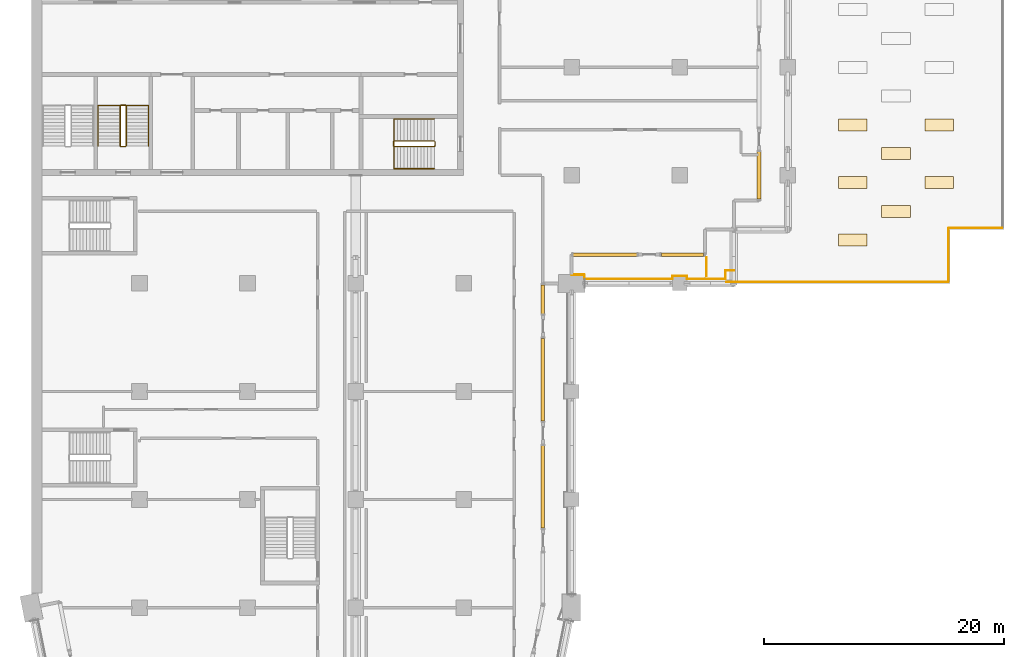
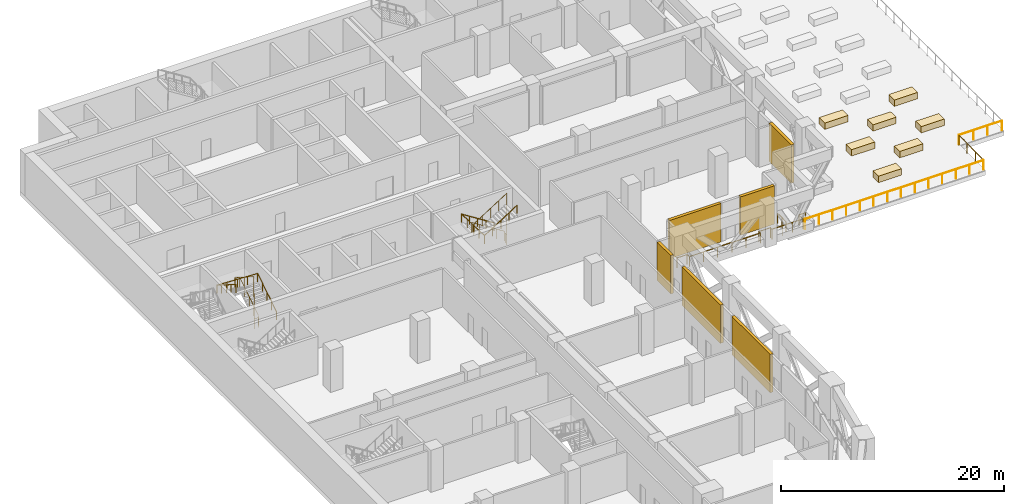
# One storey, part 20 of 22: 9 railings, 7 coverings, 6 shading devices.
"""IFC4 building model written with IfcOpenShell, lengths in metres."""

from ifc_helpers import new_model, si_unit, direction, frame, origin, origin_2d, place, context, subcontext, project, spatial, polyline, rectangle, circle, outline, extrude, material, layer, layer_set, type_object, element, save


model = new_model("IFC4")

# Units and contexts
model_context = context("Model", 3, precision=1e-05, world=origin(), true_north=direction((0.0, 1.0)))
body_context = subcontext(model_context, "Body", "Model", "MODEL_VIEW")
ifc_project = project(units=[si_unit("LENGTHUNIT", "METRE"), si_unit("AREAUNIT", "SQUARE_METRE"), si_unit("VOLUMEUNIT", "CUBIC_METRE"), si_unit("PLANEANGLEUNIT", "RADIAN"), si_unit("MASSUNIT", "GRAM", prefix="KILO")], contexts=[model_context])

# Site, building, storey
site_placement = place(None, origin())
site = spatial("IfcSite", under=ifc_project, at=site_placement, CompositionType="ELEMENT")
building_placement = place(site_placement, origin())
building = spatial("IfcBuilding", under=site, at=building_placement, Name="Hunhe Ridgeline Campus", CompositionType="ELEMENT")
storey_placement = place(building_placement, frame((0.0, 0.0, 129.199951171875)))
storey = spatial("IfcBuildingStorey", under=building, at=storey_placement, Name="L32", CompositionType="ELEMENT", Elevation=129.199951171875)

# Railings
ifc_material_1 = material(Name="Steel Q355", Category="steel")
railing_type_1 = type_object("IfcRailingType", Name="Loggia guard 1100 Steel Q355", PredefinedType="GUARDRAIL", material=ifc_material_1)
railing_1_placement = place(storey_placement, frame((45.0, 54.719970703125, 0.0)))
element("IfcRailing", 1, at=railing_1_placement, inside=storey, type_object=railing_type_1, Name="Loggia guard 2", PredefinedType="GUARDRAIL", context=body_context, shape_type="SweptSolid", body=[
    extrude(circle(Radius=0.02392578125, at=origin_2d()), frame((0.0, 0.0, 1.076171875), z_axis=(1.0, 0.0, 0.0), x_axis=(0.0, 1.0, 0.0)), (0.0, 0.0, 1.0), 1.050048828125),
    extrude(circle(Radius=0.02392578125, at=origin_2d()), frame((1.050048828125, 0.0, 1.076171875), z_axis=(0.0, -1.0, 0.0), x_axis=(1.0, 0.0, 0.0)), (0.0, 0.0, 1.0), 0.369873046875),
    extrude(circle(Radius=0.02392578125, at=origin_2d()), frame((1.050048828125, -0.369873046875, 1.076171875), z_axis=(1.0, 0.0, 0.0), x_axis=(0.0, 1.0, 0.0)), (0.0, 0.0, 1.0), 7.349853515625),
    extrude(circle(Radius=0.02392578125, at=origin_2d()), frame((8.39990234375, -0.369873046875, 1.076171875), z_axis=(0.0, 1.0, 0.0), x_axis=(-1.0, 0.0, 0.0)), (0.0, 0.0, 1.0), 0.27001953125),
    extrude(circle(Radius=0.02392578125, at=origin_2d()), frame((8.39990234375, -0.099853515625, 1.076171875), z_axis=(1.0, 0.0, 0.0), x_axis=(0.0, 1.0, 0.0)), (0.0, 0.0, 1.0), 1.2001953125),
    extrude(circle(Radius=0.02392578125, at=origin_2d()), frame((9.60009765625, -0.099853515625, 1.076171875), z_axis=(0.0, -1.0, 0.0), x_axis=(1.0, 0.0, 0.0)), (0.0, 0.0, 1.0), 0.27001953125),
    extrude(circle(Radius=0.02392578125, at=origin_2d()), frame((9.60009765625, -0.369873046875, 1.076171875), z_axis=(1.0, 0.0, 0.0), x_axis=(0.0, 1.0, 0.0)), (0.0, 0.0, 1.0), 3.199951171875),
    extrude(circle(Radius=0.02392578125, at=origin_2d()), frame((12.800048828125, -0.369873046875, 1.076171875), z_axis=(0.0, 1.0, 0.0), x_axis=(-1.0, 0.0, 0.0)), (0.0, 0.0, 1.0), 0.719970703125),
    extrude(circle(Radius=0.02392578125, at=origin_2d()), frame((12.800048828125, 0.35009765625, 1.076171875), z_axis=(1.0, 0.0, 0.0), x_axis=(0.0, 1.0, 0.0)), (0.0, 0.0, 1.0), 0.699951171875),
    extrude(circle(Radius=0.02099609375, at=origin_2d()), origin(), (0.0, 0.0, 1.0), 1.052001953125),
    extrude(circle(Radius=0.02099609375, at=origin_2d()), frame((1.050048828125, 0.0, 0.0)), (0.0, 0.0, 1.0), 1.052001953125),
    extrude(circle(Radius=0.02099609375, at=origin_2d()), frame((1.050048828125, -0.369873046875, 0.0)), (0.0, 0.0, 1.0), 1.052001953125),
    extrude(circle(Radius=0.02099609375, at=origin_2d()), frame((2.52001953125, -0.369873046875, 0.0)), (0.0, 0.0, 1.0), 1.052001953125),
    extrude(circle(Radius=0.02099609375, at=origin_2d()), frame((3.989990234375, -0.369873046875, 0.0)), (0.0, 0.0, 1.0), 1.052001953125),
    extrude(circle(Radius=0.02099609375, at=origin_2d()), frame((5.4599609375, -0.369873046875, 0.0)), (0.0, 0.0, 1.0), 1.052001953125),
    extrude(circle(Radius=0.02099609375, at=origin_2d()), frame((6.929931640625, -0.369873046875, 0.0)), (0.0, 0.0, 1.0), 1.052001953125),
    extrude(circle(Radius=0.02099609375, at=origin_2d()), frame((8.39990234375, -0.369873046875, 0.0)), (0.0, 0.0, 1.0), 1.052001953125),
    extrude(circle(Radius=0.02099609375, at=origin_2d()), frame((8.39990234375, -0.099853515625, 0.0)), (0.0, 0.0, 1.0), 1.052001953125),
    extrude(circle(Radius=0.02099609375, at=origin_2d()), frame((9.60009765625, -0.099853515625, 0.0)), (0.0, 0.0, 1.0), 1.052001953125),
    extrude(circle(Radius=0.02099609375, at=origin_2d()), frame((9.60009765625, -0.369873046875, 0.0)), (0.0, 0.0, 1.0), 1.052001953125),
    extrude(circle(Radius=0.02099609375, at=origin_2d()), frame((10.666748046875, -0.369873046875, 0.0)), (0.0, 0.0, 1.0), 1.052001953125),
    extrude(circle(Radius=0.02099609375, at=origin_2d()), frame((11.7333984375, -0.369873046875, 0.0)), (0.0, 0.0, 1.0), 1.052001953125),
    extrude(circle(Radius=0.02099609375, at=origin_2d()), frame((12.800048828125, -0.369873046875, 0.0)), (0.0, 0.0, 1.0), 1.052001953125),
    extrude(circle(Radius=0.02099609375, at=origin_2d()), frame((12.800048828125, 0.35009765625, 0.0)), (0.0, 0.0, 1.0), 1.052001953125),
    extrude(circle(Radius=0.02099609375, at=origin_2d()), frame((13.5, 0.35009765625, 0.0)), (0.0, 0.0, 1.0), 1.052001953125),
])
railing_2_placement = place(storey_placement, frame((56.219970703125, 54.60009765625, 0.080078125)))
element("IfcRailing", 2, at=railing_2_placement, inside=storey, type_object=railing_type_1, Name="Terrace guard 1", PredefinedType="GUARDRAIL", context=body_context, shape_type="SweptSolid", body=[
    extrude(circle(Radius=0.02392578125, at=origin_2d()), frame((0.0, 0.0, 1.076171875), z_axis=(0.0, 1.0, 0.0), x_axis=(-1.0, 0.0, 0.0)), (0.0, 0.0, 1.0), 1.55078125),
    extrude(circle(Radius=0.02099609375, at=origin_2d()), origin(), (0.0, 0.0, 1.0), 1.052001953125),
    extrude(circle(Radius=0.02099609375, at=origin_2d()), frame((0.0, 0.775390625, 0.0)), (0.0, 0.0, 1.0), 1.052001953125),
    extrude(circle(Radius=0.02099609375, at=origin_2d()), frame((0.0, 1.55078125, 0.0)), (0.0, 0.0, 1.0), 1.052001953125),
])
railing_3_placement = place(storey_placement, frame((80.840087890625, 58.6201171875, 0.080078125)))
element("IfcRailing", 3, at=railing_3_placement, inside=storey, type_object=railing_type_1, Name="Terrace guard 6", PredefinedType="GUARDRAIL", context=body_context, shape_type="SweptSolid", body=[
    extrude(circle(Radius=0.02392578125, at=origin_2d()), frame((0.0, 0.0, 1.076171875), z_axis=(-0.999999993897, -0.000110478925, 0.0), x_axis=(0.000110478925, -0.999999993897, 0.0)), (0.0, 0.0, 1.0), 4.419677734375),
    extrude(circle(Radius=0.02099609375, at=origin_2d()), origin(), (0.0, 0.0, 1.0), 1.052001953125),
    extrude(circle(Radius=0.02099609375, at=origin_2d()), frame((-1.47314453125, -0.000244140625, 0.0)), (0.0, 0.0, 1.0), 1.052001953125),
    extrude(circle(Radius=0.02099609375, at=origin_2d()), frame((-2.946533203125, -0.000244140625, 0.0)), (0.0, 0.0, 1.0), 1.052001953125),
    extrude(circle(Radius=0.02099609375, at=origin_2d()), frame((-4.419677734375, -0.00048828125, 0.0)), (0.0, 0.0, 1.0), 1.052001953125),
])
railing_4_placement = place(storey_placement, frame((76.38037109375, 58.57958984375, 0.080078125)))
element("IfcRailing", 4, at=railing_4_placement, inside=storey, type_object=railing_type_1, Name="Terrace guard 7", PredefinedType="GUARDRAIL", context=body_context, shape_type="SweptSolid", body=[
    extrude(circle(Radius=0.02392578125, at=origin_2d()), frame((0.0, 0.0, 1.076171875), z_axis=(-0.000110478925, -0.999999993897, 0.0), x_axis=(0.999999993897, -0.000110478925, 0.0)), (0.0, 0.0, 1.0), 4.419677734375),
    extrude(circle(Radius=0.02099609375, at=origin_2d()), origin(), (0.0, 0.0, 1.0), 1.052001953125),
    extrude(circle(Radius=0.02099609375, at=origin_2d()), frame((-0.000244140625, -1.47314453125, 0.0)), (0.0, 0.0, 1.0), 1.052001953125),
    extrude(circle(Radius=0.02099609375, at=origin_2d()), frame((-0.000244140625, -2.946533203125, 0.0)), (0.0, 0.0, 1.0), 1.052001953125),
    extrude(circle(Radius=0.02099609375, at=origin_2d()), frame((-0.00048828125, -4.419677734375, 0.0)), (0.0, 0.0, 1.0), 1.052001953125),
])
railing_5_placement = place(storey_placement, frame((76.340087890625, 54.1201171875, 0.080078125)))
element("IfcRailing", 5, at=railing_5_placement, inside=storey, type_object=railing_type_1, Name="Terrace guard 8", PredefinedType="GUARDRAIL", context=body_context, shape_type="SweptSolid", body=[
    extrude(circle(Radius=0.02392578125, at=origin_2d()), frame((0.0, 0.0, 1.076171875), z_axis=(-1.0, 0.0, 0.0), x_axis=(0.0, -1.0, 0.0)), (0.0, 0.0, 1.0), 18.4423828125),
    extrude(circle(Radius=0.02099609375, at=origin_2d()), origin(), (0.0, 0.0, 1.0), 1.052001953125),
    extrude(circle(Radius=0.02099609375, at=origin_2d()), frame((-1.418701171875, 0.0, 0.0)), (0.0, 0.0, 1.0), 1.052001953125),
    extrude(circle(Radius=0.02099609375, at=origin_2d()), frame((-2.83740234375, 0.0, 0.0)), (0.0, 0.0, 1.0), 1.052001953125),
    extrude(circle(Radius=0.02099609375, at=origin_2d()), frame((-4.255859375, 0.0, 0.0)), (0.0, 0.0, 1.0), 1.052001953125),
    extrude(circle(Radius=0.02099609375, at=origin_2d()), frame((-5.674560546875, 0.0, 0.0)), (0.0, 0.0, 1.0), 1.052001953125),
    extrude(circle(Radius=0.02099609375, at=origin_2d()), frame((-7.09326171875, 0.0, 0.0)), (0.0, 0.0, 1.0), 1.052001953125),
    extrude(circle(Radius=0.02099609375, at=origin_2d()), frame((-8.511962890625, 0.0, 0.0)), (0.0, 0.0, 1.0), 1.052001953125),
    extrude(circle(Radius=0.02099609375, at=origin_2d()), frame((-9.930419921875, 0.0, 0.0)), (0.0, 0.0, 1.0), 1.052001953125),
    extrude(circle(Radius=0.02099609375, at=origin_2d()), frame((-11.34912109375, 0.0, 0.0)), (0.0, 0.0, 1.0), 1.052001953125),
    extrude(circle(Radius=0.02099609375, at=origin_2d()), frame((-12.767822265625, 0.0, 0.0)), (0.0, 0.0, 1.0), 1.052001953125),
    extrude(circle(Radius=0.02099609375, at=origin_2d()), frame((-14.1865234375, 0.0, 0.0)), (0.0, 0.0, 1.0), 1.052001953125),
    extrude(circle(Radius=0.02099609375, at=origin_2d()), frame((-15.60498046875, 0.0, 0.0)), (0.0, 0.0, 1.0), 1.052001953125),
    extrude(circle(Radius=0.02099609375, at=origin_2d()), frame((-17.023681640625, 0.0, 0.0)), (0.0, 0.0, 1.0), 1.052001953125),
    extrude(circle(Radius=0.02099609375, at=origin_2d()), frame((-18.4423828125, 0.0, 0.0)), (0.0, 0.0, 1.0), 1.052001953125),
])

# Shading devices
ifc_material_2 = material(Name="Aluminium 6063", Category="aluminium")
ifc_layer = layer(ifc_material_2, 0.300048828125)
ifc_layer_set = layer_set([ifc_layer], Name="Louvre bank 300 Aluminium 6063")
shading_device_type = type_object("IfcShadingDeviceType", Name="Louvre bank 300 Aluminium 6063", PredefinedType="USERDEFINED", material=ifc_layer_set)
for number, where, z_axis, x_axis, name in (
    (6, (42.59912109375, 37.057861328125, 0.0), (0.0, 0.0, 1.0), (4.353113e-06, 0.999999999991, 0.0), "Louvre bank 18"),
    (7, (42.59912109375, 45.979248046875, 0.0), (0.0, 0.0, 1.0), (4.353113e-06, 0.999999999991, 0.0), "Louvre bank 19"),
):
    element("IfcShadingDevice", number, at=place(storey_placement, frame(where, z_axis=z_axis, x_axis=x_axis)), inside=storey, type_object=shading_device_type, Name=name, ObjectType="LOUVRE", PredefinedType="USERDEFINED", context=body_context, shape_type="SweptSolid", body=[
        extrude(rectangle(XDim=6.88134765625, YDim=0.300048828125, at=origin_2d()), origin(), (0.0, 0.0, 1.0), 4.199951171875),
    ])
shading_device_1_placement = place(storey_placement, frame((42.59912109375, 52.670166015625, 0.0), z_axis=(0.0, 0.0, 1.0), x_axis=(4.510158e-06, 0.99999999999, 0.0)))
element("IfcShadingDevice", 8, at=shading_device_1_placement, inside=storey, type_object=shading_device_type, Name="Louvre bank 20", ObjectType="LOUVRE", PredefinedType="USERDEFINED", context=body_context, shape_type="SweptSolid", body=[
    extrude(rectangle(XDim=2.420654296875, YDim=0.300048828125, at=origin_2d()), origin(), (0.0, 0.0, 1.0), 4.199951171875),
])
shading_device_2_placement = place(storey_placement, frame((47.774658203125, 56.40087890625, 0.0), z_axis=(0.0, 0.0, 1.0), x_axis=(0.999999999999, 1.621742e-06, 0.0)))
element("IfcShadingDevice", 9, at=shading_device_2_placement, inside=storey, type_object=shading_device_type, Name="Louvre bank 21", ObjectType="LOUVRE", PredefinedType="USERDEFINED", context=body_context, shape_type="SweptSolid", body=[
    extrude(rectangle(XDim=5.3095703125, YDim=0.300048828125, at=origin_2d()), origin(), (0.0, 0.0, 1.0), 4.199951171875),
])
shading_device_3_placement = place(storey_placement, frame((54.22412109375, 56.40087890625, 0.0), z_axis=(0.0, 0.0, 1.0), x_axis=(0.999999999999, 1.60017e-06, 0.0)))
element("IfcShadingDevice", 10, at=shading_device_3_placement, inside=storey, type_object=shading_device_type, Name="Louvre bank 22", ObjectType="LOUVRE", PredefinedType="USERDEFINED", context=body_context, shape_type="SweptSolid", body=[
    extrude(rectangle(XDim=3.509521484375, YDim=0.300048828125, at=origin_2d()), origin(), (0.0, 0.0, 1.0), 4.199951171875),
])
shading_device_4_placement = place(storey_placement, frame((60.59912109375, 63.0009765625, 0.0), z_axis=(0.0, 0.0, 1.0), x_axis=(0.0, 1.0, 0.0)))
element("IfcShadingDevice", 11, at=shading_device_4_placement, inside=storey, type_object=shading_device_type, Name="Louvre bank 23", ObjectType="LOUVRE", PredefinedType="USERDEFINED", context=body_context, shape_type="SweptSolid", body=[
    extrude(rectangle(XDim=3.9599609375, YDim=0.300048828125, at=origin_2d()), origin(), (0.0, 0.0, 1.0), 4.199951171875),
])

# Coverings
ifc_material_3 = material(Name="Planting soil")
covering_type = type_object("IfcCoveringType", Name="Planter box 700 planting soil", PredefinedType="USERDEFINED", material=ifc_material_3)
covering_1_placement = place(storey_placement, frame((0.0, 0.0, 0.080078125)))
element("IfcCovering", 12, at=covering_1_placement, inside=storey, type_object=covering_type, Name="Planter 1", ObjectType="PLANTER", PredefinedType="USERDEFINED", context=body_context, shape_type="SweptSolid", body=[
    extrude(outline(polyline([(67.199951171875, 57.10009765625), (69.60009765625, 57.10009765625), (69.60009765625, 58.10009765625), (67.199951171875, 58.10009765625), (67.199951171875, 57.10009765625)])), origin(), (0.0, 0.0, 1.0), 0.699951171875),
])
covering_2_placement = place(storey_placement, frame((0.0, 0.0, 0.080078125)))
element("IfcCovering", 13, at=covering_2_placement, inside=storey, type_object=covering_type, Name="Planter 2", ObjectType="PLANTER", PredefinedType="USERDEFINED", context=body_context, shape_type="SweptSolid", body=[
    extrude(outline(polyline([(67.199951171875, 61.89990234375), (69.60009765625, 61.89990234375), (69.60009765625, 62.89990234375), (67.199951171875, 62.89990234375), (67.199951171875, 61.89990234375)])), origin(), (0.0, 0.0, 1.0), 0.699951171875),
])
covering_3_placement = place(storey_placement, frame((0.0, 0.0, 0.080078125)))
element("IfcCovering", 14, at=covering_3_placement, inside=storey, type_object=covering_type, Name="Planter 3", ObjectType="PLANTER", PredefinedType="USERDEFINED", context=body_context, shape_type="SweptSolid", body=[
    extrude(outline(polyline([(67.199951171875, 66.699951171875), (69.60009765625, 66.699951171875), (69.60009765625, 67.699951171875), (67.199951171875, 67.699951171875), (67.199951171875, 66.699951171875)])), origin(), (0.0, 0.0, 1.0), 0.699951171875),
])
covering_4_placement = place(storey_placement, frame((0.0, 0.0, 0.080078125)))
element("IfcCovering", 15, at=covering_4_placement, inside=storey, type_object=covering_type, Name="Planter 9", ObjectType="PLANTER", PredefinedType="USERDEFINED", context=body_context, shape_type="SweptSolid", body=[
    extrude(outline(polyline([(70.800048828125, 59.5), (73.199951171875, 59.5), (73.199951171875, 60.5), (70.800048828125, 60.5), (70.800048828125, 59.5)])), origin(), (0.0, 0.0, 1.0), 0.699951171875),
])
covering_5_placement = place(storey_placement, frame((0.0, 0.0, 0.080078125)))
element("IfcCovering", 16, at=covering_5_placement, inside=storey, type_object=covering_type, Name="Planter 10", ObjectType="PLANTER", PredefinedType="USERDEFINED", context=body_context, shape_type="SweptSolid", body=[
    extrude(outline(polyline([(70.800048828125, 64.300048828125), (73.199951171875, 64.300048828125), (73.199951171875, 65.300048828125), (70.800048828125, 65.300048828125), (70.800048828125, 64.300048828125)])), origin(), (0.0, 0.0, 1.0), 0.699951171875),
])
covering_6_placement = place(storey_placement, frame((0.0, 0.0, 0.080078125)))
element("IfcCovering", 17, at=covering_6_placement, inside=storey, type_object=covering_type, Name="Planter 16", ObjectType="PLANTER", PredefinedType="USERDEFINED", context=body_context, shape_type="SweptSolid", body=[
    extrude(outline(polyline([(74.39990234375, 61.89990234375), (76.800048828125, 61.89990234375), (76.800048828125, 62.89990234375), (74.39990234375, 62.89990234375), (74.39990234375, 61.89990234375)])), origin(), (0.0, 0.0, 1.0), 0.699951171875),
])
covering_7_placement = place(storey_placement, frame((0.0, 0.0, 0.080078125)))
element("IfcCovering", 18, at=covering_7_placement, inside=storey, type_object=covering_type, Name="Planter 17", ObjectType="PLANTER", PredefinedType="USERDEFINED", context=body_context, shape_type="SweptSolid", body=[
    extrude(outline(polyline([(74.39990234375, 66.699951171875), (76.800048828125, 66.699951171875), (76.800048828125, 67.699951171875), (74.39990234375, 67.699951171875), (74.39990234375, 66.699951171875)])), origin(), (0.0, 0.0, 1.0), 0.699951171875),
])

# Railings
ifc_material_4 = material(Name="Stainless steel balustrade", Category="steel")
railing_type_2 = type_object("IfcRailingType", Name="Stair guard 1100 stainless", PredefinedType="GUARDRAIL", material=ifc_material_4)
railing_6_placement = place(storey_placement, frame((33.550048828125, 65.85009765625, 0.177001953125)))
element("IfcRailing", 19, at=railing_6_placement, inside=storey, type_object=railing_type_2, Name="L32 stair S2 guard", PredefinedType="GUARDRAIL", context=body_context, shape_type="SweptSolid", body=[
    extrude(circle(Radius=0.02392578125, at=origin_2d()), frame((0.0, 0.0, 1.076171875), z_axis=(-0.845389635667, 0.0, 0.534150132366), x_axis=(0.0, -1.0, 0.0)), (0.0, 0.0, 1.0), 3.974609375),
    extrude(circle(Radius=0.02392578125, at=origin_2d()), frame((-3.360107421875, 0.0, 3.19921875), z_axis=(-0.707106781187, -0.707106781187, 0.0), x_axis=(0.707106781187, -0.707106781187, 0.0)), (0.0, 0.0, 1.0), 0.07080078125),
    extrude(circle(Radius=0.02392578125, at=origin_2d()), frame((-3.41015625, -0.050048828125, 3.19921875), z_axis=(0.0, -1.0, 0.0), x_axis=(1.0, 0.0, 0.0)), (0.0, 0.0, 1.0), 0.35009765625),
    extrude(circle(Radius=0.02392578125, at=origin_2d()), frame((-3.41015625, -0.400146484375, 3.19921875), z_axis=(0.262545553595, -0.262545553595, 0.928514762713), x_axis=(0.707106781187, 0.707106781187, 0.0)), (0.0, 0.0, 1.0), 0.190673828125),
    extrude(circle(Radius=0.02392578125, at=origin_2d()), frame((-3.360107421875, -0.4501953125, 3.3759765625), z_axis=(0.845389635667, 0.0, 0.534150132366), x_axis=(0.0, 1.0, 0.0)), (0.0, 0.0, 1.0), 3.974609375),
    extrude(circle(Radius=0.02392578125, at=origin_2d()), frame((0.0, -0.4501953125, 5.4990234375), z_axis=(0.010878661383, 0.010878661383, -0.999881647723), x_axis=(-0.707106781187, 0.707106781187, 0.0)), (0.0, 0.0, 1.0), 4.6005859375),
    extrude(circle(Radius=0.02392578125, at=origin_2d()), frame((0.050048828125, -0.400146484375, 0.89892578125), z_axis=(0.0, 1.0, 0.0), x_axis=(-1.0, 0.0, 0.0)), (0.0, 0.0, 1.0), 0.35009765625),
    extrude(circle(Radius=0.02099609375, at=origin_2d()), origin(), (0.0, 0.0, 1.0), 1.052001953125),
    extrude(circle(Radius=0.02099609375, at=origin_2d()), frame((-0.840087890625, 0.0, 0.53076171875)), (0.0, 0.0, 1.0), 1.052001953125),
    extrude(circle(Radius=0.02099609375, at=origin_2d()), frame((-1.68017578125, 0.0, 1.0615234375)), (0.0, 0.0, 1.0), 1.052001953125),
    extrude(circle(Radius=0.02099609375, at=origin_2d()), frame((-2.52001953125, 0.0, 1.59228515625)), (0.0, 0.0, 1.0), 1.052001953125),
    extrude(circle(Radius=0.02099609375, at=origin_2d()), frame((-3.360107421875, 0.0, 2.123046875)), (0.0, 0.0, 1.0), 1.052001953125),
    extrude(circle(Radius=0.02099609375, at=origin_2d()), frame((-3.41015625, -0.050048828125, 2.123046875)), (0.0, 0.0, 1.0), 1.052001953125),
    extrude(circle(Radius=0.02099609375, at=origin_2d()), frame((-3.41015625, -0.400146484375, 2.123046875)), (0.0, 0.0, 1.0), 1.052001953125),
    extrude(circle(Radius=0.02099609375, at=origin_2d()), frame((-3.360107421875, -0.4501953125, 2.300048828125)), (0.0, 0.0, 1.0), 1.052001953125),
    extrude(circle(Radius=0.02099609375, at=origin_2d()), frame((-2.52001953125, -0.4501953125, 2.830810546875)), (0.0, 0.0, 1.0), 1.052001953125),
    extrude(circle(Radius=0.02099609375, at=origin_2d()), frame((-1.68017578125, -0.4501953125, 3.361572265625)), (0.0, 0.0, 1.0), 1.052001953125),
    extrude(circle(Radius=0.02099609375, at=origin_2d()), frame((-0.840087890625, -0.4501953125, 3.892333984375)), (0.0, 0.0, 1.0), 1.052001953125),
    extrude(circle(Radius=0.02099609375, at=origin_2d()), frame((0.0, -0.4501953125, 4.423095703125)), (0.0, 0.0, 1.0), 1.052001953125),
    extrude(circle(Radius=0.02099609375, at=origin_2d()), frame((0.012451171875, -0.437744140625, 3.27294921875)), (0.0, 0.0, 1.0), 1.052001953125),
    extrude(circle(Radius=0.02099609375, at=origin_2d()), frame((0.02490234375, -0.42529296875, 2.123046875)), (0.0, 0.0, 1.0), 1.052001953125),
    extrude(circle(Radius=0.02099609375, at=origin_2d()), frame((0.03759765625, -0.41259765625, 0.97314453125)), (0.0, 0.0, 1.0), 1.052001953125),
    extrude(circle(Radius=0.02099609375, at=origin_2d()), frame((0.050048828125, -0.400146484375, -0.177001953125)), (0.0, 0.0, 1.0), 1.052001953125),
    extrude(circle(Radius=0.02099609375, at=origin_2d()), frame((0.050048828125, -0.050048828125, -0.177001953125)), (0.0, 0.0, 1.0), 1.052001953125),
])
railing_7_placement = place(storey_placement, frame((7.89990234375, 65.449951171875, 0.177001953125)))
element("IfcRailing", 20, at=railing_7_placement, inside=storey, type_object=railing_type_2, Name="L32 stair S4 guard", PredefinedType="GUARDRAIL", context=body_context, shape_type="SweptSolid", body=[
    extrude(circle(Radius=0.02392578125, at=origin_2d()), frame((0.0, 0.0, 1.076171875), z_axis=(0.0, 0.845389635667, 0.534150132366), x_axis=(-1.0, 0.0, 0.0)), (0.0, 0.0, 1.0), 3.974609375),
    extrude(circle(Radius=0.02392578125, at=origin_2d()), frame((0.0, 3.360107421875, 3.19921875), z_axis=(-0.705375805398, 0.708833529934, 0.0), x_axis=(-0.708833529934, -0.705375805398, 0.0)), (0.0, 0.0, 1.0), 0.070556640625),
    extrude(circle(Radius=0.02392578125, at=origin_2d()), frame((-0.0498046875, 3.41015625, 3.19921875), z_axis=(-1.0, 0.0, 0.0), x_axis=(0.0, -1.0, 0.0)), (0.0, 0.0, 1.0), 0.400146484375),
    extrude(circle(Radius=0.02392578125, at=origin_2d()), frame((-0.449951171875, 3.41015625, 3.19921875), z_axis=(-0.262545553595, -0.262545553595, 0.928514762713), x_axis=(0.707106781187, -0.707106781187, 0.0)), (0.0, 0.0, 1.0), 0.190673828125),
    extrude(circle(Radius=0.02392578125, at=origin_2d()), frame((-0.5, 3.360107421875, 3.3759765625), z_axis=(0.0, -0.845389635667, 0.534150132366), x_axis=(1.0, 0.0, 0.0)), (0.0, 0.0, 1.0), 3.974609375),
    extrude(circle(Radius=0.02392578125, at=origin_2d()), frame((-0.5, 0.0, 5.4990234375), z_axis=(0.010878661383, -0.010878661383, -0.999881647723), x_axis=(0.707106781187, 0.707106781187, 0.0)), (0.0, 0.0, 1.0), 4.6005859375),
    extrude(circle(Radius=0.02392578125, at=origin_2d()), frame((-0.449951171875, -0.050048828125, 0.89892578125), z_axis=(1.0, 0.0, 0.0), x_axis=(0.0, 1.0, 0.0)), (0.0, 0.0, 1.0), 0.400146484375),
    extrude(circle(Radius=0.02099609375, at=origin_2d()), origin(), (0.0, 0.0, 1.0), 1.052001953125),
    extrude(circle(Radius=0.02099609375, at=origin_2d()), frame((0.0, 0.840087890625, 0.53076171875)), (0.0, 0.0, 1.0), 1.052001953125),
    extrude(circle(Radius=0.02099609375, at=origin_2d()), frame((0.0, 1.68017578125, 1.0615234375)), (0.0, 0.0, 1.0), 1.052001953125),
    extrude(circle(Radius=0.02099609375, at=origin_2d()), frame((0.0, 2.52001953125, 1.59228515625)), (0.0, 0.0, 1.0), 1.052001953125),
    extrude(circle(Radius=0.02099609375, at=origin_2d()), frame((0.0, 3.360107421875, 2.123046875)), (0.0, 0.0, 1.0), 1.052001953125),
    extrude(circle(Radius=0.02099609375, at=origin_2d()), frame((-0.0498046875, 3.41015625, 2.123046875)), (0.0, 0.0, 1.0), 1.052001953125),
    extrude(circle(Radius=0.02099609375, at=origin_2d()), frame((-0.449951171875, 3.41015625, 2.123046875)), (0.0, 0.0, 1.0), 1.052001953125),
    extrude(circle(Radius=0.02099609375, at=origin_2d()), frame((-0.5, 3.360107421875, 2.300048828125)), (0.0, 0.0, 1.0), 1.052001953125),
    extrude(circle(Radius=0.02099609375, at=origin_2d()), frame((-0.5, 2.52001953125, 2.830810546875)), (0.0, 0.0, 1.0), 1.052001953125),
    extrude(circle(Radius=0.02099609375, at=origin_2d()), frame((-0.5, 1.68017578125, 3.361572265625)), (0.0, 0.0, 1.0), 1.052001953125),
    extrude(circle(Radius=0.02099609375, at=origin_2d()), frame((-0.5, 0.840087890625, 3.892333984375)), (0.0, 0.0, 1.0), 1.052001953125),
    extrude(circle(Radius=0.02099609375, at=origin_2d()), frame((-0.5, 0.0, 4.423095703125)), (0.0, 0.0, 1.0), 1.052001953125),
    extrude(circle(Radius=0.02099609375, at=origin_2d()), frame((-0.487548828125, -0.012451171875, 3.27294921875)), (0.0, 0.0, 1.0), 1.052001953125),
    extrude(circle(Radius=0.02099609375, at=origin_2d()), frame((-0.47509765625, -0.02490234375, 2.123046875)), (0.0, 0.0, 1.0), 1.052001953125),
    extrude(circle(Radius=0.02099609375, at=origin_2d()), frame((-0.46240234375, -0.03759765625, 0.97314453125)), (0.0, 0.0, 1.0), 1.052001953125),
    extrude(circle(Radius=0.02099609375, at=origin_2d()), frame((-0.449951171875, -0.050048828125, -0.177001953125)), (0.0, 0.0, 1.0), 1.052001953125),
    extrude(circle(Radius=0.02099609375, at=origin_2d()), frame((-0.0498046875, -0.050048828125, -0.177001953125)), (0.0, 0.0, 1.0), 1.052001953125),
])
ifc_material_5 = material(Name="Stainless steel handrail", Category="steel")
railing_type_3 = type_object("IfcRailingType", Name="Stair handrail 900 stainless", PredefinedType="HANDRAIL", material=ifc_material_5)
railing_8_placement = place(storey_placement, frame((33.550048828125, 67.699951171875, 0.177001953125)))
element("IfcRailing", 21, at=railing_8_placement, inside=storey, type_object=railing_type_3, Name="L32 stair S2 handrail", PredefinedType="HANDRAIL", context=body_context, shape_type="SweptSolid", body=[
    extrude(circle(Radius=0.02392578125, at=origin_2d()), frame((0.0, 0.0, 0.8759765625), z_axis=(-0.845389635667, 0.0, 0.534150132366), x_axis=(0.0, -1.0, 0.0)), (0.0, 0.0, 1.0), 3.974609375),
    extrude(circle(Radius=0.02392578125, at=origin_2d()), frame((-3.360107421875, 0.0, 2.9990234375), z_axis=(0.0, -0.999091639355, 0.042613333247), x_axis=(1.0, 0.0, 0.0)), (0.0, 0.0, 1.0), 4.153564453125),
    extrude(circle(Radius=0.02392578125, at=origin_2d()), frame((-3.360107421875, -4.14990234375, 3.17578125), z_axis=(0.845389635667, 0.0, 0.534150132366), x_axis=(0.0, 1.0, 0.0)), (0.0, 0.0, 1.0), 3.974609375),
    extrude(circle(Radius=0.02099609375, at=origin_2d()), origin(), (0.0, 0.0, 1.0), 0.851806640625),
    extrude(circle(Radius=0.02099609375, at=origin_2d()), frame((-0.840087890625, 0.0, 0.53076171875)), (0.0, 0.0, 1.0), 0.851806640625),
    extrude(circle(Radius=0.02099609375, at=origin_2d()), frame((-1.68017578125, 0.0, 1.0615234375)), (0.0, 0.0, 1.0), 0.851806640625),
    extrude(circle(Radius=0.02099609375, at=origin_2d()), frame((-2.52001953125, 0.0, 1.59228515625)), (0.0, 0.0, 1.0), 0.851806640625),
    extrude(circle(Radius=0.02099609375, at=origin_2d()), frame((-3.360107421875, 0.0, 2.123046875)), (0.0, 0.0, 1.0), 0.851806640625),
    extrude(circle(Radius=0.02099609375, at=origin_2d()), frame((-3.360107421875, -1.03759765625, 2.167236328125)), (0.0, 0.0, 1.0), 0.851806640625),
    extrude(circle(Radius=0.02099609375, at=origin_2d()), frame((-3.360107421875, -2.074951171875, 2.21142578125)), (0.0, 0.0, 1.0), 0.851806640625),
    extrude(circle(Radius=0.02099609375, at=origin_2d()), frame((-3.360107421875, -3.1123046875, 2.255859375)), (0.0, 0.0, 1.0), 0.851806640625),
    extrude(circle(Radius=0.02099609375, at=origin_2d()), frame((-3.360107421875, -4.14990234375, 2.300048828125)), (0.0, 0.0, 1.0), 0.851806640625),
    extrude(circle(Radius=0.02099609375, at=origin_2d()), frame((-2.52001953125, -4.14990234375, 2.830810546875)), (0.0, 0.0, 1.0), 0.851806640625),
    extrude(circle(Radius=0.02099609375, at=origin_2d()), frame((-1.68017578125, -4.14990234375, 3.361572265625)), (0.0, 0.0, 1.0), 0.851806640625),
    extrude(circle(Radius=0.02099609375, at=origin_2d()), frame((-0.840087890625, -4.14990234375, 3.892333984375)), (0.0, 0.0, 1.0), 0.851806640625),
    extrude(circle(Radius=0.02099609375, at=origin_2d()), frame((0.0, -4.14990234375, 4.423095703125)), (0.0, 0.0, 1.0), 0.851806640625),
])
railing_9_placement = place(storey_placement, frame((9.75, 65.449951171875, 0.177001953125)))
element("IfcRailing", 22, at=railing_9_placement, inside=storey, type_object=railing_type_3, Name="L32 stair S4 handrail", PredefinedType="HANDRAIL", context=body_context, shape_type="SweptSolid", body=[
    extrude(circle(Radius=0.02392578125, at=origin_2d()), frame((0.0, 0.0, 0.8759765625), z_axis=(0.0, 0.845389635667, 0.534150132366), x_axis=(-1.0, 0.0, 0.0)), (0.0, 0.0, 1.0), 3.974609375),
    extrude(circle(Radius=0.02392578125, at=origin_2d()), frame((0.0, 3.360107421875, 2.9990234375), z_axis=(-0.999113130752, 0.0, 0.042106436075), x_axis=(0.0, -1.0, 0.0)), (0.0, 0.0, 1.0), 4.20361328125),
    extrude(circle(Radius=0.02392578125, at=origin_2d()), frame((-4.199951171875, 3.360107421875, 3.17578125), z_axis=(0.0, -0.845389635667, 0.534150132366), x_axis=(1.0, 0.0, 0.0)), (0.0, 0.0, 1.0), 3.974609375),
    extrude(circle(Radius=0.02099609375, at=origin_2d()), origin(), (0.0, 0.0, 1.0), 0.851806640625),
    extrude(circle(Radius=0.02099609375, at=origin_2d()), frame((0.0, 0.840087890625, 0.53076171875)), (0.0, 0.0, 1.0), 0.851806640625),
    extrude(circle(Radius=0.02099609375, at=origin_2d()), frame((0.0, 1.68017578125, 1.0615234375)), (0.0, 0.0, 1.0), 0.851806640625),
    extrude(circle(Radius=0.02099609375, at=origin_2d()), frame((0.0, 2.52001953125, 1.59228515625)), (0.0, 0.0, 1.0), 0.851806640625),
    extrude(circle(Radius=0.02099609375, at=origin_2d()), frame((0.0, 3.360107421875, 2.123046875)), (0.0, 0.0, 1.0), 0.851806640625),
    extrude(circle(Radius=0.02099609375, at=origin_2d()), frame((-1.050048828125, 3.360107421875, 2.167236328125)), (0.0, 0.0, 1.0), 0.851806640625),
    extrude(circle(Radius=0.02099609375, at=origin_2d()), frame((-2.10009765625, 3.360107421875, 2.21142578125)), (0.0, 0.0, 1.0), 0.851806640625),
    extrude(circle(Radius=0.02099609375, at=origin_2d()), frame((-3.14990234375, 3.360107421875, 2.255859375)), (0.0, 0.0, 1.0), 0.851806640625),
    extrude(circle(Radius=0.02099609375, at=origin_2d()), frame((-4.199951171875, 3.360107421875, 2.300048828125)), (0.0, 0.0, 1.0), 0.851806640625),
    extrude(circle(Radius=0.02099609375, at=origin_2d()), frame((-4.199951171875, 2.52001953125, 2.830810546875)), (0.0, 0.0, 1.0), 0.851806640625),
    extrude(circle(Radius=0.02099609375, at=origin_2d()), frame((-4.199951171875, 1.68017578125, 3.361572265625)), (0.0, 0.0, 1.0), 0.851806640625),
    extrude(circle(Radius=0.02099609375, at=origin_2d()), frame((-4.199951171875, 0.840087890625, 3.892333984375)), (0.0, 0.0, 1.0), 0.851806640625),
    extrude(circle(Radius=0.02099609375, at=origin_2d()), frame((-4.199951171875, 0.0, 4.423095703125)), (0.0, 0.0, 1.0), 0.851806640625),
])

save(model, "model.ifc")
